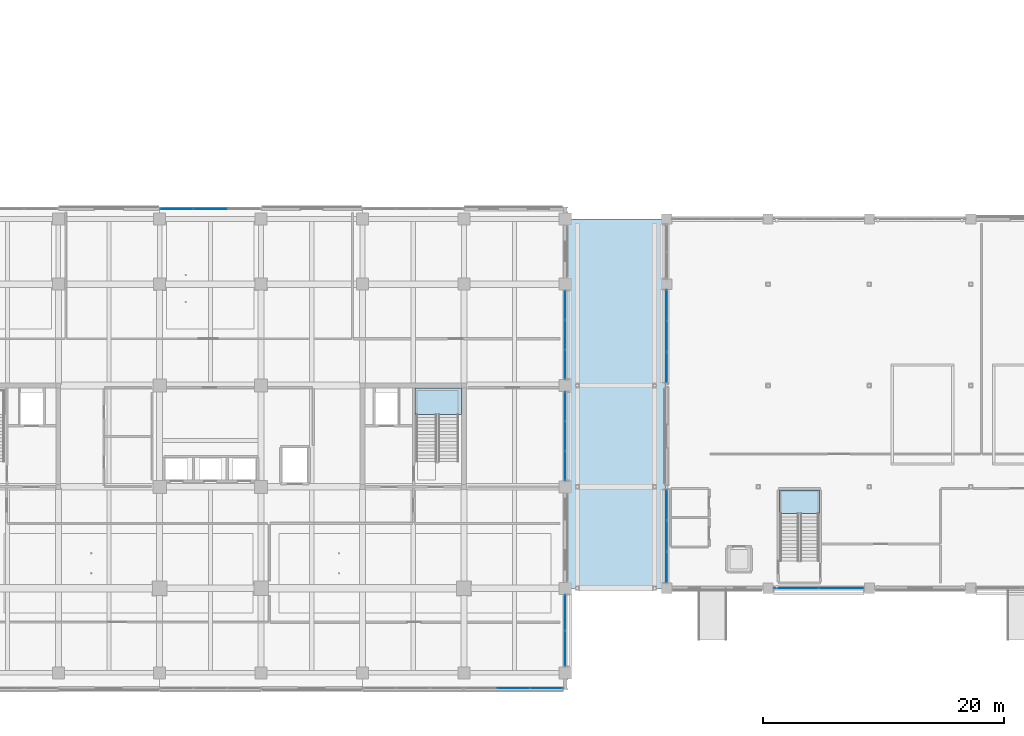
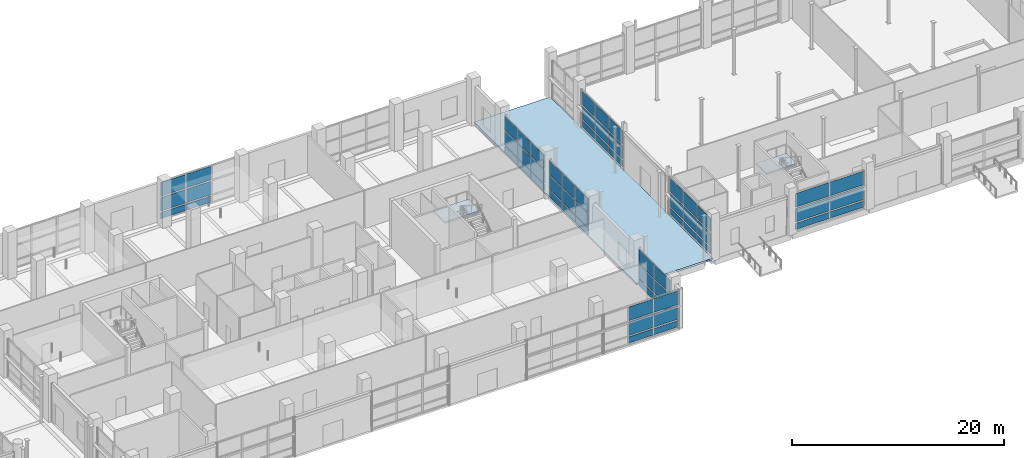
# One storey, part 48 of 140: 60 plates, 3 slabs, 10 elements without a shape of their own.
"""IFC4 building model written with IfcOpenShell, lengths in metres."""

from ifc_helpers import new_model, si_unit, direction, frame, origin, origin_2d, place, context, subcontext, project, spatial, polyline, rectangle, outline, extrude, material, layer, layer_set, type_object, element, aggregate, save


model = new_model("IFC4")

# Units and contexts
model_context = context("Model", 3, precision=1e-05, world=origin(), true_north=direction((0.0, 1.0)))
body_context = subcontext(model_context, "Body", "Model", "MODEL_VIEW")
ifc_project = project(units=[si_unit("LENGTHUNIT", "METRE"), si_unit("AREAUNIT", "SQUARE_METRE"), si_unit("VOLUMEUNIT", "CUBIC_METRE"), si_unit("PLANEANGLEUNIT", "RADIAN"), si_unit("MASSUNIT", "GRAM", prefix="KILO")], contexts=[model_context])

# Site, building, storey
site_placement = place(None, origin())
site = spatial("IfcSite", under=ifc_project, at=site_placement, CompositionType="ELEMENT")
building_placement = place(site_placement, origin())
building = spatial("IfcBuilding", under=site, at=building_placement, Name="Telukmera Botanical Conservatory", CompositionType="ELEMENT")
storey_placement = place(building_placement, origin())
storey = spatial("IfcBuildingStorey", under=building, at=storey_placement, Name="L00", CompositionType="ELEMENT", Elevation=0.0)

# Curtain wall, plates
ifc_material_1 = material(Name="Anodised aluminium 6063-T6", Category="aluminium")
ifc_layer_1 = layer(ifc_material_1, 0.179931640625)
ifc_layer_set_1 = layer_set([ifc_layer_1], Name="Anodised aluminium 6063-T6")
curtain_wall_type_1 = type_object("IfcCurtainWallType", Name="Conservatory Boulevard Unitised Curtain Wall 3600 Mod", PredefinedType="USERDEFINED", material=ifc_layer_set_1)
curtain_wall_1_placement = place(storey_placement, origin())
curtain_wall_1 = element("IfcCurtainWall", 1, at=curtain_wall_1_placement, inside=storey, type_object=curtain_wall_type_1, Name="Unitised Curtain Wall CW01 V1:L00:S2", ObjectType="UNITISED CURTAIN WALL", PredefinedType="USERDEFINED")
ifc_material_2 = material(Name="Spectrally selective low-E double glazing", Category="glass")
ifc_layer_2 = layer(ifc_material_2, 0.02392578125)
ifc_layer_set_2 = layer_set([ifc_layer_2], Name="Spectrally selective low-E double glazing")
plate_type_1 = type_object("IfcPlateType", Name="High Light Transmission Conservatory Glazing Panel 24", PredefinedType="CURTAIN_PANEL", material=ifc_layer_set_2)
plate_1_placement = place(storey_placement, frame((128.3310546875, 17.60009765625, 0.14990234375), z_axis=(0.0, 0.0, 1.0), x_axis=(1.0, 0.0, 0.0)))
plate_1 = element("IfcPlate", 2, at=plate_1_placement, type_object=plate_type_1, Name="CW01 panel 1.1", PredefinedType="CURTAIN_PANEL", context=body_context, shape_type="SweptSolid", body=[
    extrude(rectangle(XDim=3.66796875, YDim=0.02392578125, at=origin_2d()), origin(), (0.0, 0.0, 1.0), 0.72509765625),
])
plate_2_placement = place(storey_placement, frame((128.3310546875, 17.60009765625, 1.02490234375), z_axis=(0.0, 0.0, 1.0), x_axis=(1.0, 0.0, 0.0)))
plate_2 = element("IfcPlate", 3, at=plate_2_placement, type_object=plate_type_1, Name="CW01 panel 1.2", PredefinedType="CURTAIN_PANEL", context=body_context, shape_type="SweptSolid", body=[
    extrude(rectangle(XDim=3.66796875, YDim=0.02392578125, at=origin_2d()), origin(), (0.0, 0.0, 1.0), 1.550048828125),
])
plate_3_placement = place(storey_placement, frame((128.3310546875, 17.60009765625, 2.72509765625), z_axis=(0.0, 0.0, 1.0), x_axis=(1.0, 0.0, 0.0)))
plate_3 = element("IfcPlate", 4, at=plate_3_placement, type_object=plate_type_1, Name="CW01 panel 1.3", PredefinedType="CURTAIN_PANEL", context=body_context, shape_type="SweptSolid", body=[
    extrude(rectangle(XDim=3.66796875, YDim=0.02392578125, at=origin_2d()), origin(), (0.0, 0.0, 1.0), 1.574951171875),
])
plate_4_placement = place(storey_placement, frame((132.069091796875, 17.60009765625, 0.14990234375), z_axis=(0.0, 0.0, 1.0), x_axis=(1.0, 0.0, 0.0)))
plate_4 = element("IfcPlate", 5, at=plate_4_placement, type_object=plate_type_1, Name="CW01 panel 2.1", PredefinedType="CURTAIN_PANEL", context=body_context, shape_type="SweptSolid", body=[
    extrude(rectangle(XDim=3.66796875, YDim=0.02392578125, at=origin_2d()), origin(), (0.0, 0.0, 1.0), 0.72509765625),
])
plate_5_placement = place(storey_placement, frame((132.069091796875, 17.60009765625, 1.02490234375), z_axis=(0.0, 0.0, 1.0), x_axis=(1.0, 0.0, 0.0)))
plate_5 = element("IfcPlate", 6, at=plate_5_placement, type_object=plate_type_1, Name="CW01 panel 2.2", PredefinedType="CURTAIN_PANEL", context=body_context, shape_type="SweptSolid", body=[
    extrude(rectangle(XDim=3.66796875, YDim=0.02392578125, at=origin_2d()), origin(), (0.0, 0.0, 1.0), 1.550048828125),
])
plate_6_placement = place(storey_placement, frame((132.069091796875, 17.60009765625, 2.72509765625), z_axis=(0.0, 0.0, 1.0), x_axis=(1.0, 0.0, 0.0)))
plate_6 = element("IfcPlate", 7, at=plate_6_placement, type_object=plate_type_1, Name="CW01 panel 2.3", PredefinedType="CURTAIN_PANEL", context=body_context, shape_type="SweptSolid", body=[
    extrude(rectangle(XDim=3.66796875, YDim=0.02392578125, at=origin_2d()), origin(), (0.0, 0.0, 1.0), 1.574951171875),
])
aggregate(curtain_wall_1, [plate_1, plate_2, plate_3, plate_4, plate_5, plate_6])

# Stair, slab
ifc_material_3 = material(Name="Concrete C40/50", Category="concrete")
stair_type_1 = type_object("IfcStairType", Name="ST-ESC-5400", PredefinedType="HALF_TURN_STAIR", material=ifc_material_3)
stair_1_placement = place(storey_placement, origin())
stair_1 = element("IfcStair", 8, at=stair_1_placement, inside=storey, type_object=stair_type_1, Name="L00 Protected Escape Stair ST2", PredefinedType="HALF_TURN_STAIR")
ifc_layer_3 = layer(ifc_material_3, 0.199951171875)
ifc_layer_set_3 = layer_set([ifc_layer_3], Name="Concrete C40/50")
slab_type_1 = type_object("IfcSlabType", Name="SL-LAND-200", PredefinedType="LANDING", material=ifc_layer_set_3)
slab_1_placement = place(storey_placement, frame((0.0, 0.0, 2.5)))
slab_1 = element("IfcSlab", 9, at=slab_1_placement, type_object=slab_type_1, Name="ST2 landing 1", PredefinedType="LANDING", context=body_context, shape_type="SweptSolid", body=[
    extrude(outline(polyline([(96.7548828125, 32.010009765625), (100.594970703125, 32.010009765625), (100.594970703125, 34.195068359375), (96.7548828125, 34.195068359375), (96.7548828125, 32.010009765625)])), origin(), (0.0, 0.0, 1.0), 0.199951171875),
])
aggregate(stair_1, [slab_1])

stair_type_2 = type_object("IfcStairType", Name="ST-FEAT-5400", PredefinedType="HALF_TURN_STAIR", material=ifc_material_3)
stair_2_placement = place(storey_placement, origin())
stair_2 = element("IfcStair", 10, at=stair_2_placement, inside=storey, type_object=stair_type_2, Name="L00 Feature Stair ST5", PredefinedType="HALF_TURN_STAIR")
slab_2_placement = place(storey_placement, frame((0.0, 0.0, 2.5)))
slab_2 = element("IfcSlab", 11, at=slab_2_placement, type_object=slab_type_1, Name="ST5 landing 1", PredefinedType="LANDING", context=body_context, shape_type="SweptSolid", body=[
    extrude(outline(polyline([(126.949951171875, 23.800048828125), (130.25, 23.800048828125), (130.25, 25.739990234375), (126.949951171875, 25.739990234375), (126.949951171875, 23.800048828125)])), origin(), (0.0, 0.0, 1.0), 0.199951171875),
])
aggregate(stair_2, [slab_2])

# Slab
ifc_layer_4 = layer(ifc_material_3, 0.199951171875)
ifc_layer_set_4 = layer_set([ifc_layer_4], Name="Concrete C40/50")
slab_type_2 = type_object("IfcSlabType", Name="Slab_TS20", PredefinedType="FLOOR", material=ifc_layer_set_4)
slab_3_placement = place(storey_placement, frame((0.0, 0.0, -0.199951171875)))
element("IfcSlab", 12, at=slab_3_placement, inside=storey, type_object=slab_type_2, Name="East Courtyard Link Deck Slab L00", PredefinedType="FLOOR", context=body_context, shape_type="SweptSolid", body=[
    extrude(outline(polyline([(109.260009765625, 17.60009765625), (117.5400390625, 17.60009765625), (117.5400390625, 48.199951171875), (109.260009765625, 48.199951171875), (109.260009765625, 17.60009765625)])), origin(), (0.0, 0.0, 1.0), 0.199951171875),
])

# Curtain wall, plates
ifc_layer_5 = layer(ifc_material_1, 0.179931640625)
ifc_layer_set_5 = layer_set([ifc_layer_5], Name="Anodised aluminium 6063-T6")
curtain_wall_type_2 = type_object("IfcCurtainWallType", Name="Tower Boulevard Podium Hall Curtain Wall", PredefinedType="USERDEFINED", material=ifc_layer_set_5)
curtain_wall_2_placement = place(storey_placement, origin())
curtain_wall_2 = element("IfcCurtainWall", 13, at=curtain_wall_2_placement, inside=storey, type_object=curtain_wall_type_2, Name="Unitised Curtain Wall CW12 V4:L00:S7", ObjectType="UNITISED CURTAIN WALL", PredefinedType="USERDEFINED")
ifc_layer_6 = layer(ifc_material_2, 0.0380859375)
ifc_layer_set_6 = layer_set([ifc_layer_6], Name="Spectrally selective low-E double glazing")
plate_type_2 = type_object("IfcPlateType", Name="Solar Control Fritted Spandrel Glazing Panel 38", PredefinedType="CURTAIN_PANEL", material=ifc_layer_set_6)
plate_7_placement = place(storey_placement, frame((104.925048828125, 9.320068359375, 0.14990234375), z_axis=(0.0, 0.0, 1.0), x_axis=(1.0, 0.0, 0.0)))
plate_7 = element("IfcPlate", 14, at=plate_7_placement, type_object=plate_type_2, Name="CW12 panel 2.1", PredefinedType="CURTAIN_PANEL", context=body_context, shape_type="SweptSolid", body=[
    extrude(rectangle(XDim=2.6787109375, YDim=0.0380859375, at=origin_2d()), origin(), (0.0, 0.0, 1.0), 0.72509765625),
])
plate_8_placement = place(storey_placement, frame((104.925048828125, 9.320068359375, 1.02490234375), z_axis=(0.0, 0.0, 1.0), x_axis=(1.0, 0.0, 0.0)))
plate_8 = element("IfcPlate", 15, at=plate_8_placement, type_object=plate_type_2, Name="CW12 panel 2.2", PredefinedType="CURTAIN_PANEL", context=body_context, shape_type="SweptSolid", body=[
    extrude(rectangle(XDim=2.6787109375, YDim=0.0380859375, at=origin_2d()), origin(), (0.0, 0.0, 1.0), 1.550048828125),
])
plate_9_placement = place(storey_placement, frame((104.925048828125, 9.320068359375, 2.72509765625), z_axis=(0.0, 0.0, 1.0), x_axis=(1.0, 0.0, 0.0)))
plate_9 = element("IfcPlate", 16, at=plate_9_placement, type_object=plate_type_2, Name="CW12 panel 2.3", PredefinedType="CURTAIN_PANEL", context=body_context, shape_type="SweptSolid", body=[
    extrude(rectangle(XDim=2.6787109375, YDim=0.0380859375, at=origin_2d()), origin(), (0.0, 0.0, 1.0), 1.574951171875),
])
plate_10_placement = place(storey_placement, frame((107.65625, 9.320068359375, 0.14990234375), z_axis=(0.0, 0.0, 1.0), x_axis=(1.0, 0.0, 0.0)))
plate_10 = element("IfcPlate", 17, at=plate_10_placement, type_object=plate_type_2, Name="CW12 panel 3.1", PredefinedType="CURTAIN_PANEL", context=body_context, shape_type="SweptSolid", body=[
    extrude(rectangle(XDim=2.6435546875, YDim=0.0380859375, at=origin_2d()), origin(), (0.0, 0.0, 1.0), 0.72509765625),
])
plate_11_placement = place(storey_placement, frame((107.65625, 9.320068359375, 1.02490234375), z_axis=(0.0, 0.0, 1.0), x_axis=(1.0, 0.0, 0.0)))
plate_11 = element("IfcPlate", 18, at=plate_11_placement, type_object=plate_type_2, Name="CW12 panel 3.2", PredefinedType="CURTAIN_PANEL", context=body_context, shape_type="SweptSolid", body=[
    extrude(rectangle(XDim=2.6435546875, YDim=0.0380859375, at=origin_2d()), origin(), (0.0, 0.0, 1.0), 1.550048828125),
])
plate_12_placement = place(storey_placement, frame((107.65625, 9.320068359375, 2.72509765625), z_axis=(0.0, 0.0, 1.0), x_axis=(1.0, 0.0, 0.0)))
plate_12 = element("IfcPlate", 19, at=plate_12_placement, type_object=plate_type_2, Name="CW12 panel 3.3", PredefinedType="CURTAIN_PANEL", context=body_context, shape_type="SweptSolid", body=[
    extrude(rectangle(XDim=2.6435546875, YDim=0.0380859375, at=origin_2d()), origin(), (0.0, 0.0, 1.0), 1.574951171875),
])
aggregate(curtain_wall_2, [plate_7, plate_8, plate_9, plate_10, plate_11, plate_12])

curtain_wall_3_placement = place(storey_placement, origin())
curtain_wall_3 = element("IfcCurtainWall", 20, at=curtain_wall_3_placement, inside=storey, type_object=curtain_wall_type_2, Name="Unitised Curtain Wall CW12 V4:L00:N4", ObjectType="UNITISED CURTAIN WALL", PredefinedType="USERDEFINED")
plate_13_placement = place(storey_placement, frame((77.018798828125, 49.02001953125, 0.14990234375), z_axis=(0.0, 0.0, 1.0), x_axis=(1.0, 0.0, 0.0)))
plate_13 = element("IfcPlate", 21, at=plate_13_placement, type_object=plate_type_2, Name="CW12 panel 1.1", PredefinedType="CURTAIN_PANEL", context=body_context, shape_type="SweptSolid", body=[
    extrude(rectangle(XDim=2.693603515625, YDim=0.0380859375, at=origin_2d()), origin(), (0.0, 0.0, 1.0), 0.72509765625),
])
plate_14_placement = place(storey_placement, frame((77.018798828125, 49.02001953125, 1.02490234375), z_axis=(0.0, 0.0, 1.0), x_axis=(1.0, 0.0, 0.0)))
plate_14 = element("IfcPlate", 22, at=plate_14_placement, type_object=plate_type_2, Name="CW12 panel 1.2", PredefinedType="CURTAIN_PANEL", context=body_context, shape_type="SweptSolid", body=[
    extrude(rectangle(XDim=2.693603515625, YDim=0.0380859375, at=origin_2d()), origin(), (0.0, 0.0, 1.0), 1.550048828125),
])
plate_15_placement = place(storey_placement, frame((77.018798828125, 49.02001953125, 2.72509765625), z_axis=(0.0, 0.0, 1.0), x_axis=(1.0, 0.0, 0.0)))
plate_15 = element("IfcPlate", 23, at=plate_15_placement, type_object=plate_type_2, Name="CW12 panel 1.3", PredefinedType="CURTAIN_PANEL", context=body_context, shape_type="SweptSolid", body=[
    extrude(rectangle(XDim=2.693603515625, YDim=0.0380859375, at=origin_2d()), origin(), (0.0, 0.0, 1.0), 1.574951171875),
])
plate_16_placement = place(storey_placement, frame((79.800048828125, 49.02001953125, 0.14990234375), z_axis=(0.0, 0.0, 1.0), x_axis=(1.0, 0.0, 0.0)))
plate_16 = element("IfcPlate", 24, at=plate_16_placement, type_object=plate_type_2, Name="CW12 panel 2.1", PredefinedType="CURTAIN_PANEL", context=body_context, shape_type="SweptSolid", body=[
    extrude(rectangle(XDim=2.728759765625, YDim=0.0380859375, at=origin_2d()), origin(), (0.0, 0.0, 1.0), 0.72509765625),
])
plate_17_placement = place(storey_placement, frame((79.800048828125, 49.02001953125, 1.02490234375), z_axis=(0.0, 0.0, 1.0), x_axis=(1.0, 0.0, 0.0)))
plate_17 = element("IfcPlate", 25, at=plate_17_placement, type_object=plate_type_2, Name="CW12 panel 2.2", PredefinedType="CURTAIN_PANEL", context=body_context, shape_type="SweptSolid", body=[
    extrude(rectangle(XDim=2.728759765625, YDim=0.0380859375, at=origin_2d()), origin(), (0.0, 0.0, 1.0), 1.550048828125),
])
plate_18_placement = place(storey_placement, frame((79.800048828125, 49.02001953125, 2.72509765625), z_axis=(0.0, 0.0, 1.0), x_axis=(1.0, 0.0, 0.0)))
plate_18 = element("IfcPlate", 26, at=plate_18_placement, type_object=plate_type_2, Name="CW12 panel 2.3", PredefinedType="CURTAIN_PANEL", context=body_context, shape_type="SweptSolid", body=[
    extrude(rectangle(XDim=2.728759765625, YDim=0.0380859375, at=origin_2d()), origin(), (0.0, 0.0, 1.0), 1.574951171875),
])
aggregate(curtain_wall_3, [plate_13, plate_14, plate_15, plate_16, plate_17, plate_18])

curtain_wall_4_placement = place(storey_placement, origin())
curtain_wall_4 = element("IfcCurtainWall", 27, at=curtain_wall_4_placement, inside=storey, type_object=curtain_wall_type_2, Name="Unitised Curtain Wall CW12 V4:L00:E1", ObjectType="UNITISED CURTAIN WALL", PredefinedType="USERDEFINED")
plate_19_placement = place(storey_placement, frame((109.199951171875, 12.618408203125, 0.14990234375), z_axis=(0.0, 0.0, 1.0), x_axis=(0.0, 1.0, 0.0)))
plate_19 = element("IfcPlate", 28, at=plate_19_placement, type_object=plate_type_2, Name="CW12 panel 1.1", PredefinedType="CURTAIN_PANEL", context=body_context, shape_type="SweptSolid", body=[
    extrude(rectangle(XDim=2.89306640625, YDim=0.0380859375, at=origin_2d()), origin(), (0.0, 0.0, 1.0), 0.72509765625),
])
plate_20_placement = place(storey_placement, frame((109.199951171875, 12.618408203125, 1.02490234375), z_axis=(0.0, 0.0, 1.0), x_axis=(0.0, 1.0, 0.0)))
plate_20 = element("IfcPlate", 29, at=plate_20_placement, type_object=plate_type_2, Name="CW12 panel 1.2", PredefinedType="CURTAIN_PANEL", context=body_context, shape_type="SweptSolid", body=[
    extrude(rectangle(XDim=2.89306640625, YDim=0.0380859375, at=origin_2d()), origin(), (0.0, 0.0, 1.0), 1.550048828125),
])
plate_21_placement = place(storey_placement, frame((109.199951171875, 12.618408203125, 2.72509765625), z_axis=(0.0, 0.0, 1.0), x_axis=(0.0, 1.0, 0.0)))
plate_21 = element("IfcPlate", 30, at=plate_21_placement, type_object=plate_type_2, Name="CW12 panel 1.3", PredefinedType="CURTAIN_PANEL", context=body_context, shape_type="SweptSolid", body=[
    extrude(rectangle(XDim=2.89306640625, YDim=0.0380859375, at=origin_2d()), origin(), (0.0, 0.0, 1.0), 1.574951171875),
])
plate_22_placement = place(storey_placement, frame((109.199951171875, 15.58154296875, 0.14990234375), z_axis=(0.0, 0.0, 1.0), x_axis=(0.0, 1.0, 0.0)))
plate_22 = element("IfcPlate", 31, at=plate_22_placement, type_object=plate_type_2, Name="CW12 panel 2.1", PredefinedType="CURTAIN_PANEL", context=body_context, shape_type="SweptSolid", body=[
    extrude(rectangle(XDim=2.89306640625, YDim=0.0380859375, at=origin_2d()), origin(), (0.0, 0.0, 1.0), 0.72509765625),
])
plate_23_placement = place(storey_placement, frame((109.199951171875, 15.58154296875, 1.02490234375), z_axis=(0.0, 0.0, 1.0), x_axis=(0.0, 1.0, 0.0)))
plate_23 = element("IfcPlate", 32, at=plate_23_placement, type_object=plate_type_2, Name="CW12 panel 2.2", PredefinedType="CURTAIN_PANEL", context=body_context, shape_type="SweptSolid", body=[
    extrude(rectangle(XDim=2.89306640625, YDim=0.0380859375, at=origin_2d()), origin(), (0.0, 0.0, 1.0), 1.550048828125),
])
plate_24_placement = place(storey_placement, frame((109.199951171875, 15.58154296875, 2.72509765625), z_axis=(0.0, 0.0, 1.0), x_axis=(0.0, 1.0, 0.0)))
plate_24 = element("IfcPlate", 33, at=plate_24_placement, type_object=plate_type_2, Name="CW12 panel 2.3", PredefinedType="CURTAIN_PANEL", context=body_context, shape_type="SweptSolid", body=[
    extrude(rectangle(XDim=2.89306640625, YDim=0.0380859375, at=origin_2d()), origin(), (0.0, 0.0, 1.0), 1.574951171875),
])
aggregate(curtain_wall_4, [plate_19, plate_20, plate_21, plate_22, plate_23, plate_24])

curtain_wall_5_placement = place(storey_placement, origin())
curtain_wall_5 = element("IfcCurtainWall", 34, at=curtain_wall_5_placement, inside=storey, type_object=curtain_wall_type_2, Name="Unitised Curtain Wall CW12 V4:L00:E3", ObjectType="UNITISED CURTAIN WALL", PredefinedType="USERDEFINED")
plate_25_placement = place(storey_placement, frame((109.199951171875, 27.752197265625, 0.14990234375), z_axis=(0.0, 0.0, 1.0), x_axis=(0.0, 1.0, 0.0)))
plate_25 = element("IfcPlate", 35, at=plate_25_placement, type_object=plate_type_2, Name="CW12 panel 1.1", PredefinedType="CURTAIN_PANEL", context=body_context, shape_type="SweptSolid", body=[
    extrude(rectangle(XDim=2.3603515625, YDim=0.0380859375, at=origin_2d()), origin(), (0.0, 0.0, 1.0), 0.72509765625),
])
plate_26_placement = place(storey_placement, frame((109.199951171875, 27.752197265625, 1.02490234375), z_axis=(0.0, 0.0, 1.0), x_axis=(0.0, 1.0, 0.0)))
plate_26 = element("IfcPlate", 36, at=plate_26_placement, type_object=plate_type_2, Name="CW12 panel 1.2", PredefinedType="CURTAIN_PANEL", context=body_context, shape_type="SweptSolid", body=[
    extrude(rectangle(XDim=2.3603515625, YDim=0.0380859375, at=origin_2d()), origin(), (0.0, 0.0, 1.0), 1.550048828125),
])
plate_27_placement = place(storey_placement, frame((109.199951171875, 27.752197265625, 2.72509765625), z_axis=(0.0, 0.0, 1.0), x_axis=(0.0, 1.0, 0.0)))
plate_27 = element("IfcPlate", 37, at=plate_27_placement, type_object=plate_type_2, Name="CW12 panel 1.3", PredefinedType="CURTAIN_PANEL", context=body_context, shape_type="SweptSolid", body=[
    extrude(rectangle(XDim=2.3603515625, YDim=0.0380859375, at=origin_2d()), origin(), (0.0, 0.0, 1.0), 1.574951171875),
])
plate_28_placement = place(storey_placement, frame((109.199951171875, 30.199951171875, 0.14990234375), z_axis=(0.0, 0.0, 1.0), x_axis=(0.0, 1.0, 0.0)))
plate_28 = element("IfcPlate", 38, at=plate_28_placement, type_object=plate_type_2, Name="CW12 panel 2.1", PredefinedType="CURTAIN_PANEL", context=body_context, shape_type="SweptSolid", body=[
    extrude(rectangle(XDim=2.395263671875, YDim=0.0380859375, at=origin_2d()), origin(), (0.0, 0.0, 1.0), 0.72509765625),
])
plate_29_placement = place(storey_placement, frame((109.199951171875, 30.199951171875, 1.02490234375), z_axis=(0.0, 0.0, 1.0), x_axis=(0.0, 1.0, 0.0)))
plate_29 = element("IfcPlate", 39, at=plate_29_placement, type_object=plate_type_2, Name="CW12 panel 2.2", PredefinedType="CURTAIN_PANEL", context=body_context, shape_type="SweptSolid", body=[
    extrude(rectangle(XDim=2.395263671875, YDim=0.0380859375, at=origin_2d()), origin(), (0.0, 0.0, 1.0), 1.550048828125),
])
plate_30_placement = place(storey_placement, frame((109.199951171875, 30.199951171875, 2.72509765625), z_axis=(0.0, 0.0, 1.0), x_axis=(0.0, 1.0, 0.0)))
plate_30 = element("IfcPlate", 40, at=plate_30_placement, type_object=plate_type_2, Name="CW12 panel 2.3", PredefinedType="CURTAIN_PANEL", context=body_context, shape_type="SweptSolid", body=[
    extrude(rectangle(XDim=2.395263671875, YDim=0.0380859375, at=origin_2d()), origin(), (0.0, 0.0, 1.0), 1.574951171875),
])
plate_31_placement = place(storey_placement, frame((109.199951171875, 32.64794921875, 0.14990234375), z_axis=(0.0, 0.0, 1.0), x_axis=(0.0, 1.0, 0.0)))
plate_31 = element("IfcPlate", 41, at=plate_31_placement, type_object=plate_type_2, Name="CW12 panel 3.1", PredefinedType="CURTAIN_PANEL", context=body_context, shape_type="SweptSolid", body=[
    extrude(rectangle(XDim=2.3603515625, YDim=0.0380859375, at=origin_2d()), origin(), (0.0, 0.0, 1.0), 0.72509765625),
])
plate_32_placement = place(storey_placement, frame((109.199951171875, 32.64794921875, 1.02490234375), z_axis=(0.0, 0.0, 1.0), x_axis=(0.0, 1.0, 0.0)))
plate_32 = element("IfcPlate", 42, at=plate_32_placement, type_object=plate_type_2, Name="CW12 panel 3.2", PredefinedType="CURTAIN_PANEL", context=body_context, shape_type="SweptSolid", body=[
    extrude(rectangle(XDim=2.3603515625, YDim=0.0380859375, at=origin_2d()), origin(), (0.0, 0.0, 1.0), 1.550048828125),
])
plate_33_placement = place(storey_placement, frame((109.199951171875, 32.64794921875, 2.72509765625), z_axis=(0.0, 0.0, 1.0), x_axis=(0.0, 1.0, 0.0)))
plate_33 = element("IfcPlate", 43, at=plate_33_placement, type_object=plate_type_2, Name="CW12 panel 3.3", PredefinedType="CURTAIN_PANEL", context=body_context, shape_type="SweptSolid", body=[
    extrude(rectangle(XDim=2.3603515625, YDim=0.0380859375, at=origin_2d()), origin(), (0.0, 0.0, 1.0), 1.574951171875),
])
aggregate(curtain_wall_5, [plate_25, plate_26, plate_27, plate_28, plate_29, plate_30, plate_31, plate_32, plate_33])

curtain_wall_6_placement = place(storey_placement, origin())
curtain_wall_6 = element("IfcCurtainWall", 44, at=curtain_wall_6_placement, inside=storey, type_object=curtain_wall_type_2, Name="Unitised Curtain Wall CW12 V4:L00:E4", ObjectType="UNITISED CURTAIN WALL", PredefinedType="USERDEFINED")
plate_34_placement = place(storey_placement, frame((109.199951171875, 36.152099609375, 0.14990234375), z_axis=(0.0, 0.0, 1.0), x_axis=(0.0, 1.0, 0.0)))
plate_34 = element("IfcPlate", 45, at=plate_34_placement, type_object=plate_type_2, Name="CW12 panel 1.1", PredefinedType="CURTAIN_PANEL", context=body_context, shape_type="SweptSolid", body=[
    extrude(rectangle(XDim=2.3603515625, YDim=0.0380859375, at=origin_2d()), origin(), (0.0, 0.0, 1.0), 0.72509765625),
])
plate_35_placement = place(storey_placement, frame((109.199951171875, 36.152099609375, 1.02490234375), z_axis=(0.0, 0.0, 1.0), x_axis=(0.0, 1.0, 0.0)))
plate_35 = element("IfcPlate", 46, at=plate_35_placement, type_object=plate_type_2, Name="CW12 panel 1.2", PredefinedType="CURTAIN_PANEL", context=body_context, shape_type="SweptSolid", body=[
    extrude(rectangle(XDim=2.3603515625, YDim=0.0380859375, at=origin_2d()), origin(), (0.0, 0.0, 1.0), 1.550048828125),
])
plate_36_placement = place(storey_placement, frame((109.199951171875, 36.152099609375, 2.72509765625), z_axis=(0.0, 0.0, 1.0), x_axis=(0.0, 1.0, 0.0)))
plate_36 = element("IfcPlate", 47, at=plate_36_placement, type_object=plate_type_2, Name="CW12 panel 1.3", PredefinedType="CURTAIN_PANEL", context=body_context, shape_type="SweptSolid", body=[
    extrude(rectangle(XDim=2.3603515625, YDim=0.0380859375, at=origin_2d()), origin(), (0.0, 0.0, 1.0), 1.574951171875),
])
plate_37_placement = place(storey_placement, frame((109.199951171875, 38.60009765625, 0.14990234375), z_axis=(0.0, 0.0, 1.0), x_axis=(0.0, 1.0, 0.0)))
plate_37 = element("IfcPlate", 48, at=plate_37_placement, type_object=plate_type_2, Name="CW12 panel 2.1", PredefinedType="CURTAIN_PANEL", context=body_context, shape_type="SweptSolid", body=[
    extrude(rectangle(XDim=2.395263671875, YDim=0.0380859375, at=origin_2d()), origin(), (0.0, 0.0, 1.0), 0.72509765625),
])
plate_38_placement = place(storey_placement, frame((109.199951171875, 38.60009765625, 1.02490234375), z_axis=(0.0, 0.0, 1.0), x_axis=(0.0, 1.0, 0.0)))
plate_38 = element("IfcPlate", 49, at=plate_38_placement, type_object=plate_type_2, Name="CW12 panel 2.2", PredefinedType="CURTAIN_PANEL", context=body_context, shape_type="SweptSolid", body=[
    extrude(rectangle(XDim=2.395263671875, YDim=0.0380859375, at=origin_2d()), origin(), (0.0, 0.0, 1.0), 1.550048828125),
])
plate_39_placement = place(storey_placement, frame((109.199951171875, 38.60009765625, 2.72509765625), z_axis=(0.0, 0.0, 1.0), x_axis=(0.0, 1.0, 0.0)))
plate_39 = element("IfcPlate", 50, at=plate_39_placement, type_object=plate_type_2, Name="CW12 panel 2.3", PredefinedType="CURTAIN_PANEL", context=body_context, shape_type="SweptSolid", body=[
    extrude(rectangle(XDim=2.395263671875, YDim=0.0380859375, at=origin_2d()), origin(), (0.0, 0.0, 1.0), 1.574951171875),
])
plate_40_placement = place(storey_placement, frame((109.199951171875, 41.0478515625, 0.14990234375), z_axis=(0.0, 0.0, 1.0), x_axis=(0.0, 1.0, 0.0)))
plate_40 = element("IfcPlate", 51, at=plate_40_placement, type_object=plate_type_2, Name="CW12 panel 3.1", PredefinedType="CURTAIN_PANEL", context=body_context, shape_type="SweptSolid", body=[
    extrude(rectangle(XDim=2.3603515625, YDim=0.0380859375, at=origin_2d()), origin(), (0.0, 0.0, 1.0), 0.72509765625),
])
plate_41_placement = place(storey_placement, frame((109.199951171875, 41.0478515625, 1.02490234375), z_axis=(0.0, 0.0, 1.0), x_axis=(0.0, 1.0, 0.0)))
plate_41 = element("IfcPlate", 52, at=plate_41_placement, type_object=plate_type_2, Name="CW12 panel 3.2", PredefinedType="CURTAIN_PANEL", context=body_context, shape_type="SweptSolid", body=[
    extrude(rectangle(XDim=2.3603515625, YDim=0.0380859375, at=origin_2d()), origin(), (0.0, 0.0, 1.0), 1.550048828125),
])
plate_42_placement = place(storey_placement, frame((109.199951171875, 41.0478515625, 2.72509765625), z_axis=(0.0, 0.0, 1.0), x_axis=(0.0, 1.0, 0.0)))
plate_42 = element("IfcPlate", 53, at=plate_42_placement, type_object=plate_type_2, Name="CW12 panel 3.3", PredefinedType="CURTAIN_PANEL", context=body_context, shape_type="SweptSolid", body=[
    extrude(rectangle(XDim=2.3603515625, YDim=0.0380859375, at=origin_2d()), origin(), (0.0, 0.0, 1.0), 1.574951171875),
])
aggregate(curtain_wall_6, [plate_34, plate_35, plate_36, plate_37, plate_38, plate_39, plate_40, plate_41, plate_42])

ifc_layer_7 = layer(ifc_material_1, 0.179931640625)
ifc_layer_set_7 = layer_set([ifc_layer_7], Name="Anodised aluminium 6063-T6")
curtain_wall_type_3 = type_object("IfcCurtainWallType", Name="Conservatory Garden Unitised Curtain Wall 2800 Mod", PredefinedType="USERDEFINED", material=ifc_layer_set_7)
curtain_wall_7_placement = place(storey_placement, origin())
curtain_wall_7 = element("IfcCurtainWall", 54, at=curtain_wall_7_placement, inside=storey, type_object=curtain_wall_type_3, Name="Unitised Curtain Wall CW02 V1:L00:W1", ObjectType="UNITISED CURTAIN WALL", PredefinedType="USERDEFINED")
ifc_layer_8 = layer(ifc_material_2, 0.028076171875)
ifc_layer_set_8 = layer_set([ifc_layer_8], Name="Spectrally selective low-E double glazing")
plate_type_3 = type_object("IfcPlateType", Name="Spectrally Selective Vision Double Glazing Panel 28", PredefinedType="CURTAIN_PANEL", material=ifc_layer_set_8)
plate_43_placement = place(storey_placement, frame((117.60009765625, 19.34228515625, 0.14990234375), z_axis=(0.0, 0.0, 1.0), x_axis=(0.0, 1.0, 0.0)))
plate_43 = element("IfcPlate", 55, at=plate_43_placement, type_object=plate_type_3, Name="CW02 panel 1.1", PredefinedType="CURTAIN_PANEL", context=body_context, shape_type="SweptSolid", body=[
    extrude(rectangle(XDim=2.49072265625, YDim=0.028076171875, at=origin_2d()), origin(), (0.0, 0.0, 1.0), 0.72509765625),
])
plate_44_placement = place(storey_placement, frame((117.60009765625, 19.34228515625, 1.02490234375), z_axis=(0.0, 0.0, 1.0), x_axis=(0.0, 1.0, 0.0)))
plate_44 = element("IfcPlate", 56, at=plate_44_placement, type_object=plate_type_3, Name="CW02 panel 1.2", PredefinedType="CURTAIN_PANEL", context=body_context, shape_type="SweptSolid", body=[
    extrude(rectangle(XDim=2.49072265625, YDim=0.028076171875, at=origin_2d()), origin(), (0.0, 0.0, 1.0), 1.550048828125),
])
plate_45_placement = place(storey_placement, frame((117.60009765625, 19.34228515625, 2.72509765625), z_axis=(0.0, 0.0, 1.0), x_axis=(0.0, 1.0, 0.0)))
plate_45 = element("IfcPlate", 57, at=plate_45_placement, type_object=plate_type_3, Name="CW02 panel 1.3", PredefinedType="CURTAIN_PANEL", context=body_context, shape_type="SweptSolid", body=[
    extrude(rectangle(XDim=2.49072265625, YDim=0.028076171875, at=origin_2d()), origin(), (0.0, 0.0, 1.0), 1.574951171875),
])
plate_46_placement = place(storey_placement, frame((117.60009765625, 21.92041015625, 0.14990234375), z_axis=(0.0, 0.0, 1.0), x_axis=(0.0, 1.0, 0.0)))
plate_46 = element("IfcPlate", 58, at=plate_46_placement, type_object=plate_type_3, Name="CW02 panel 2.1", PredefinedType="CURTAIN_PANEL", context=body_context, shape_type="SweptSolid", body=[
    extrude(rectangle(XDim=2.525634765625, YDim=0.028076171875, at=origin_2d()), origin(), (0.0, 0.0, 1.0), 0.72509765625),
])
plate_47_placement = place(storey_placement, frame((117.60009765625, 21.92041015625, 1.02490234375), z_axis=(0.0, 0.0, 1.0), x_axis=(0.0, 1.0, 0.0)))
plate_47 = element("IfcPlate", 59, at=plate_47_placement, type_object=plate_type_3, Name="CW02 panel 2.2", PredefinedType="CURTAIN_PANEL", context=body_context, shape_type="SweptSolid", body=[
    extrude(rectangle(XDim=2.525634765625, YDim=0.028076171875, at=origin_2d()), origin(), (0.0, 0.0, 1.0), 1.550048828125),
])
plate_48_placement = place(storey_placement, frame((117.60009765625, 21.92041015625, 2.72509765625), z_axis=(0.0, 0.0, 1.0), x_axis=(0.0, 1.0, 0.0)))
plate_48 = element("IfcPlate", 60, at=plate_48_placement, type_object=plate_type_3, Name="CW02 panel 2.3", PredefinedType="CURTAIN_PANEL", context=body_context, shape_type="SweptSolid", body=[
    extrude(rectangle(XDim=2.525634765625, YDim=0.028076171875, at=origin_2d()), origin(), (0.0, 0.0, 1.0), 1.574951171875),
])
plate_49_placement = place(storey_placement, frame((117.60009765625, 24.49853515625, 0.14990234375), z_axis=(0.0, 0.0, 1.0), x_axis=(0.0, 1.0, 0.0)))
plate_49 = element("IfcPlate", 61, at=plate_49_placement, type_object=plate_type_3, Name="CW02 panel 3.1", PredefinedType="CURTAIN_PANEL", context=body_context, shape_type="SweptSolid", body=[
    extrude(rectangle(XDim=2.49072265625, YDim=0.028076171875, at=origin_2d()), origin(), (0.0, 0.0, 1.0), 0.72509765625),
])
plate_50_placement = place(storey_placement, frame((117.60009765625, 24.49853515625, 1.02490234375), z_axis=(0.0, 0.0, 1.0), x_axis=(0.0, 1.0, 0.0)))
plate_50 = element("IfcPlate", 62, at=plate_50_placement, type_object=plate_type_3, Name="CW02 panel 3.2", PredefinedType="CURTAIN_PANEL", context=body_context, shape_type="SweptSolid", body=[
    extrude(rectangle(XDim=2.49072265625, YDim=0.028076171875, at=origin_2d()), origin(), (0.0, 0.0, 1.0), 1.550048828125),
])
plate_51_placement = place(storey_placement, frame((117.60009765625, 24.49853515625, 2.72509765625), z_axis=(0.0, 0.0, 1.0), x_axis=(0.0, 1.0, 0.0)))
plate_51 = element("IfcPlate", 63, at=plate_51_placement, type_object=plate_type_3, Name="CW02 panel 3.3", PredefinedType="CURTAIN_PANEL", context=body_context, shape_type="SweptSolid", body=[
    extrude(rectangle(XDim=2.49072265625, YDim=0.028076171875, at=origin_2d()), origin(), (0.0, 0.0, 1.0), 1.574951171875),
])
aggregate(curtain_wall_7, [plate_43, plate_44, plate_45, plate_46, plate_47, plate_48, plate_49, plate_50, plate_51])

curtain_wall_8_placement = place(storey_placement, origin())
curtain_wall_8 = element("IfcCurtainWall", 64, at=curtain_wall_8_placement, inside=storey, type_object=curtain_wall_type_3, Name="Unitised Curtain Wall CW02 V1:L00:W3", ObjectType="UNITISED CURTAIN WALL", PredefinedType="USERDEFINED")
plate_52_placement = place(storey_placement, frame((117.60009765625, 35.9013671875, 0.14990234375), z_axis=(0.0, 0.0, 1.0), x_axis=(0.0, 1.0, 0.0)))
plate_52 = element("IfcPlate", 65, at=plate_52_placement, type_object=plate_type_3, Name="CW02 panel 1.1", PredefinedType="CURTAIN_PANEL", context=body_context, shape_type="SweptSolid", body=[
    extrude(rectangle(XDim=2.49072265625, YDim=0.028076171875, at=origin_2d()), origin(), (0.0, 0.0, 1.0), 0.72509765625),
])
plate_53_placement = place(storey_placement, frame((117.60009765625, 35.9013671875, 1.02490234375), z_axis=(0.0, 0.0, 1.0), x_axis=(0.0, 1.0, 0.0)))
plate_53 = element("IfcPlate", 66, at=plate_53_placement, type_object=plate_type_3, Name="CW02 panel 1.2", PredefinedType="CURTAIN_PANEL", context=body_context, shape_type="SweptSolid", body=[
    extrude(rectangle(XDim=2.49072265625, YDim=0.028076171875, at=origin_2d()), origin(), (0.0, 0.0, 1.0), 1.550048828125),
])
plate_54_placement = place(storey_placement, frame((117.60009765625, 35.9013671875, 2.72509765625), z_axis=(0.0, 0.0, 1.0), x_axis=(0.0, 1.0, 0.0)))
plate_54 = element("IfcPlate", 67, at=plate_54_placement, type_object=plate_type_3, Name="CW02 panel 1.3", PredefinedType="CURTAIN_PANEL", context=body_context, shape_type="SweptSolid", body=[
    extrude(rectangle(XDim=2.49072265625, YDim=0.028076171875, at=origin_2d()), origin(), (0.0, 0.0, 1.0), 1.574951171875),
])
plate_55_placement = place(storey_placement, frame((117.60009765625, 38.4794921875, 0.14990234375), z_axis=(0.0, 0.0, 1.0), x_axis=(0.0, 1.0, 0.0)))
plate_55 = element("IfcPlate", 68, at=plate_55_placement, type_object=plate_type_3, Name="CW02 panel 2.1", PredefinedType="CURTAIN_PANEL", context=body_context, shape_type="SweptSolid", body=[
    extrude(rectangle(XDim=2.525634765625, YDim=0.028076171875, at=origin_2d()), origin(), (0.0, 0.0, 1.0), 0.72509765625),
])
plate_56_placement = place(storey_placement, frame((117.60009765625, 38.4794921875, 1.02490234375), z_axis=(0.0, 0.0, 1.0), x_axis=(0.0, 1.0, 0.0)))
plate_56 = element("IfcPlate", 69, at=plate_56_placement, type_object=plate_type_3, Name="CW02 panel 2.2", PredefinedType="CURTAIN_PANEL", context=body_context, shape_type="SweptSolid", body=[
    extrude(rectangle(XDim=2.525634765625, YDim=0.028076171875, at=origin_2d()), origin(), (0.0, 0.0, 1.0), 1.550048828125),
])
plate_57_placement = place(storey_placement, frame((117.60009765625, 38.4794921875, 2.72509765625), z_axis=(0.0, 0.0, 1.0), x_axis=(0.0, 1.0, 0.0)))
plate_57 = element("IfcPlate", 70, at=plate_57_placement, type_object=plate_type_3, Name="CW02 panel 2.3", PredefinedType="CURTAIN_PANEL", context=body_context, shape_type="SweptSolid", body=[
    extrude(rectangle(XDim=2.525634765625, YDim=0.028076171875, at=origin_2d()), origin(), (0.0, 0.0, 1.0), 1.574951171875),
])
plate_58_placement = place(storey_placement, frame((117.60009765625, 41.0576171875, 0.14990234375), z_axis=(0.0, 0.0, 1.0), x_axis=(0.0, 1.0, 0.0)))
plate_58 = element("IfcPlate", 71, at=plate_58_placement, type_object=plate_type_3, Name="CW02 panel 3.1", PredefinedType="CURTAIN_PANEL", context=body_context, shape_type="SweptSolid", body=[
    extrude(rectangle(XDim=2.49072265625, YDim=0.028076171875, at=origin_2d()), origin(), (0.0, 0.0, 1.0), 0.72509765625),
])
plate_59_placement = place(storey_placement, frame((117.60009765625, 41.0576171875, 1.02490234375), z_axis=(0.0, 0.0, 1.0), x_axis=(0.0, 1.0, 0.0)))
plate_59 = element("IfcPlate", 72, at=plate_59_placement, type_object=plate_type_3, Name="CW02 panel 3.2", PredefinedType="CURTAIN_PANEL", context=body_context, shape_type="SweptSolid", body=[
    extrude(rectangle(XDim=2.49072265625, YDim=0.028076171875, at=origin_2d()), origin(), (0.0, 0.0, 1.0), 1.550048828125),
])
plate_60_placement = place(storey_placement, frame((117.60009765625, 41.0576171875, 2.72509765625), z_axis=(0.0, 0.0, 1.0), x_axis=(0.0, 1.0, 0.0)))
plate_60 = element("IfcPlate", 73, at=plate_60_placement, type_object=plate_type_3, Name="CW02 panel 3.3", PredefinedType="CURTAIN_PANEL", context=body_context, shape_type="SweptSolid", body=[
    extrude(rectangle(XDim=2.49072265625, YDim=0.028076171875, at=origin_2d()), origin(), (0.0, 0.0, 1.0), 1.574951171875),
])
aggregate(curtain_wall_8, [plate_52, plate_53, plate_54, plate_55, plate_56, plate_57, plate_58, plate_59, plate_60])

save(model, "model.ifc")
